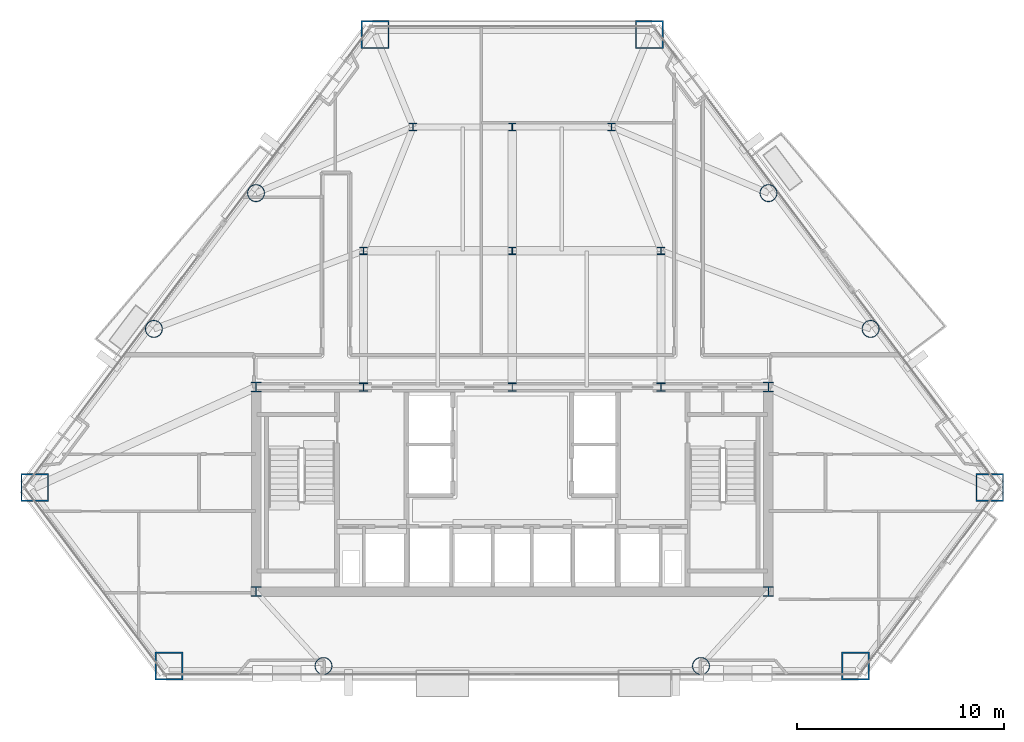
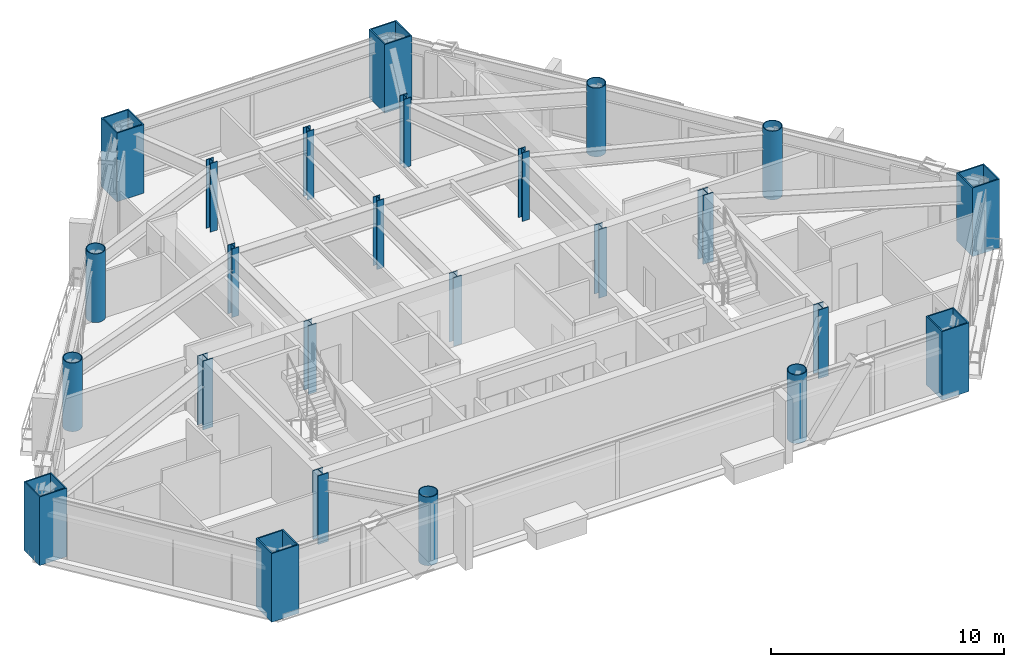
# One storey, part 1 of 10: 25 columns.
"""IFC4 building model written with IfcOpenShell, lengths in metres."""

from ifc_helpers import new_model, si_unit, direction, frame, origin, origin_2d, place, context, subcontext, project, spatial, hollow_rectangle, hollow_circle, i_section, extrude, material, material_profile, profile_set, type_object, element, save


model = new_model("IFC4")

# Units and contexts
model_context = context("Model", 3, precision=1e-05, world=origin(), true_north=direction((0.0, 1.0)))
body_context = subcontext(model_context, "Body", "Model", "MODEL_VIEW")
ifc_project = project(units=[si_unit("LENGTHUNIT", "METRE"), si_unit("AREAUNIT", "SQUARE_METRE"), si_unit("VOLUMEUNIT", "CUBIC_METRE"), si_unit("PLANEANGLEUNIT", "RADIAN"), si_unit("MASSUNIT", "GRAM", prefix="KILO")], contexts=[model_context])

# Site, building, storey
site_placement = place(None, origin())
site = spatial("IfcSite", under=ifc_project, at=site_placement, CompositionType="ELEMENT")
building_placement = place(site_placement, origin())
building = spatial("IfcBuilding", under=site, at=building_placement, Name="Talgorran Terracotta Tower", CompositionType="ELEMENT")
storey_placement = place(building_placement, frame((0.0, 0.0, 86.39990234375)))
storey = spatial("IfcBuildingStorey", under=building, at=storey_placement, Name="L22", CompositionType="ELEMENT", Elevation=86.39990234375)

# Columns
ifc_material_1 = material(Name="Steel S355 (300PLUS)", Category="steel")
ifc_material_profile_1 = material_profile(ifc_material_1, i_section(OverallWidth=0.35009765625, OverallDepth=0.366943359375, WebThickness=0.02490234375, FlangeThickness=0.031982421875, at=origin_2d()), Name="350WC258")
ifc_profile_set_1 = profile_set([ifc_material_profile_1], Name="Steel S355 (300PLUS)")
column_type_1 = type_object("IfcColumnType", Name="COL_350WC258", PredefinedType="COLUMN", material=ifc_profile_set_1)
for number, where, z_axis, x_axis, name in (
    (1, (-7.199951171875, 2.39990234375, 0.0), (0.0, 0.0, 1.0), (1.0, 0.0, 0.0), "L22 Interior Gravity Column IC1"),
    (2, (0.0, 2.39990234375, 0.0), (0.0, 0.0, 1.0), (1.0, 0.0, 0.0), "L22 Interior Gravity Column IC2"),
    (3, (7.199951171875, 2.39990234375, 0.0), (0.0, 0.0, 1.0), (1.0, 0.0, 0.0), "L22 Interior Gravity Column IC3"),
    (4, (-4.800048828125, 8.39990234375, 0.0), (0.0, 0.0, 1.0), (1.0, 0.0, 0.0), "L22 Interior Gravity Column IC4"),
    (5, (0.0, 8.39990234375, 0.0), (0.0, 0.0, 1.0), (1.0, 0.0, 0.0), "L22 Interior Gravity Column IC5"),
    (6, (4.800048828125, 8.39990234375, 0.0), (0.0, 0.0, 1.0), (1.0, 0.0, 0.0), "L22 Interior Gravity Column IC6"),
):
    element("IfcColumn", number, at=place(storey_placement, frame(where, z_axis=z_axis, x_axis=x_axis)), inside=storey, type_object=column_type_1, Name=name, PredefinedType="COLUMN", context=body_context, shape_type="SweptSolid", body=[
        extrude(i_section(OverallWidth=0.35009765625, OverallDepth=0.366943359375, WebThickness=0.02490234375, FlangeThickness=0.031982421875, at=origin_2d()), origin(), (0.0, 0.0, 1.0), 3.60009765625),
    ])
ifc_material_profile_2 = material_profile(ifc_material_1, i_section(OverallWidth=0.5, OverallDepth=0.48193359375, WebThickness=0.0400390625, FlangeThickness=0.044921875, at=origin_2d()), Name="500WC440")
ifc_profile_set_2 = profile_set([ifc_material_profile_2], Name="Steel S355 (300PLUS)")
column_type_2 = type_object("IfcColumnType", Name="COL_500WC440", PredefinedType="COLUMN", material=ifc_profile_set_2)
for number, where, z_axis, x_axis, name in (
    (7, (-12.39990234375, -14.10009765625, 0.0), (0.0, 0.0, 1.0), (1.0, 0.0, 0.0), "L22 Core Boundary Column CC1"),
    (8, (12.39990234375, -14.10009765625, 0.0), (0.0, 0.0, 1.0), (1.0, 0.0, 0.0), "L22 Core Boundary Column CC2"),
    (9, (12.39990234375, -4.199951171875, 0.0), (0.0, 0.0, 1.0), (1.0, 0.0, 0.0), "L22 Core Boundary Column CC3"),
    (10, (-12.39990234375, -4.199951171875, 0.0), (0.0, 0.0, 1.0), (1.0, 0.0, 0.0), "L22 Core Boundary Column CC4"),
):
    element("IfcColumn", number, at=place(storey_placement, frame(where, z_axis=z_axis, x_axis=x_axis)), inside=storey, type_object=column_type_2, Name=name, PredefinedType="COLUMN", context=body_context, shape_type="SweptSolid", body=[
        extrude(i_section(OverallWidth=0.5, OverallDepth=0.48193359375, WebThickness=0.0400390625, FlangeThickness=0.044921875, at=origin_2d()), origin(), (0.0, 0.0, 1.0), 3.60009765625),
    ])
ifc_material_2 = material(Name="Steel Grade 350 (350L0)", Category="steel")
ifc_material_profile_3 = material_profile(ifc_material_2, hollow_rectangle(XDim=1.35009765625, YDim=1.35009765625, WallThickness=0.06494140625, at=origin_2d()), Name="CFT1350X1350X65")
ifc_profile_set_3 = profile_set([ifc_material_profile_3], Name="Steel Grade 350 (350L0)")
column_type_3 = type_object("IfcColumnType", Name="COL_CFT_1350", PredefinedType="COLUMN", material=ifc_profile_set_3)
for number, where, z_axis, x_axis, name in (
    (11, (-23.119384765625, -9.0517578125, 0.0), (0.0, 0.0, 1.0), (1.0, 0.0, 0.0), "L22 Corner CFT Mega-Column MC1"),
    (12, (-16.61376953125, -17.7021484375, 0.0), (0.0, 0.0, 1.0), (1.0, 0.0, 0.0), "L22 Corner CFT Mega-Column MC2"),
    (13, (16.61376953125, -17.7021484375, 0.0), (0.0, 0.0, 1.0), (1.0, 0.0, 0.0), "L22 Corner CFT Mega-Column MC3"),
    (14, (23.119384765625, -9.0517578125, 0.0), (0.0, 0.0, 1.0), (1.0, 0.0, 0.0), "L22 Corner CFT Mega-Column MC4"),
    (15, (6.636962890625, 12.864990234375, 0.0), (0.0, 0.0, 1.0), (1.0, 0.0, 0.0), "L22 Corner CFT Mega-Column MC5"),
    (16, (-6.636962890625, 12.864990234375, 0.0), (0.0, 0.0, 1.0), (1.0, 0.0, 0.0), "L22 Corner CFT Mega-Column MC6"),
):
    element("IfcColumn", number, at=place(storey_placement, frame(where, z_axis=z_axis, x_axis=x_axis)), inside=storey, type_object=column_type_3, Name=name, PredefinedType="COLUMN", context=body_context, shape_type="SweptSolid", body=[
        extrude(hollow_rectangle(XDim=1.35009765625, YDim=1.35009765625, WallThickness=0.06494140625, at=origin_2d()), origin(), (0.0, 0.0, 1.0), 3.60009765625),
    ])
ifc_material_profile_4 = material_profile(ifc_material_2, hollow_circle(Radius=0.425048828125, WallThickness=0.0380859375, at=origin_2d()), Name="CHS850X38")
ifc_profile_set_4 = profile_set([ifc_material_profile_4], Name="Steel Grade 350 (350L0)")
column_type_4 = type_object("IfcColumnType", Name="COL_CHS_850", PredefinedType="COLUMN", material=ifc_profile_set_4)
for number, where, z_axis, x_axis, name in (
    (17, (-9.1376953125, -17.7021484375, 0.0), (0.0, 0.0, 1.0), (1.0, 0.0, 0.0), "L22 Facet Perimeter Column FC1"),
    (18, (9.1376953125, -17.7021484375, 0.0), (0.0, 0.0, 1.0), (1.0, 0.0, 0.0), "L22 Facet Perimeter Column FC2"),
    (19, (17.3505859375, -1.380859375, 0.0), (0.0, 0.0, 1.0), (1.0, 0.0, 0.0), "L22 Facet Perimeter Column FC3"),
    (20, (12.406005859375, 5.194091796875, 0.0), (0.0, 0.0, 1.0), (1.0, 0.0, 0.0), "L22 Facet Perimeter Column FC4"),
    (21, (-12.406005859375, 5.194091796875, 0.0), (0.0, 0.0, 1.0), (1.0, 0.0, 0.0), "L22 Facet Perimeter Column FC5"),
    (22, (-17.3505859375, -1.380859375, 0.0), (0.0, 0.0, 1.0), (1.0, 0.0, 0.0), "L22 Facet Perimeter Column FC6"),
):
    element("IfcColumn", number, at=place(storey_placement, frame(where, z_axis=z_axis, x_axis=x_axis)), inside=storey, type_object=column_type_4, Name=name, PredefinedType="COLUMN", context=body_context, shape_type="SweptSolid", body=[
        extrude(hollow_circle(Radius=0.425048828125, WallThickness=0.0380859375, at=origin_2d()), origin(), (0.0, 0.0, 1.0), 3.60009765625),
    ])
ifc_material_profile_5 = material_profile(ifc_material_1, i_section(OverallWidth=0.405029296875, OverallDepth=0.4140625, WebThickness=0.02197265625, FlangeThickness=0.031982421875, at=origin_2d()), Name="400WC270")
ifc_profile_set_5 = profile_set([ifc_material_profile_5], Name="Steel S355 (300PLUS)")
column_type_5 = type_object("IfcColumnType", Name="COL_PIL_400WC270", PredefinedType="PILASTER", material=ifc_profile_set_5)
for number, where, z_axis, x_axis, name in (
    (23, (-7.199951171875, -4.199951171875, 0.0), (0.0, 0.0, 1.0), (1.0, 0.0, 0.0), "L22 Core Shear Pilaster CP1"),
    (24, (0.0, -4.199951171875, 0.0), (0.0, 0.0, 1.0), (1.0, 0.0, 0.0), "L22 Core Shear Pilaster CP2"),
    (25, (7.199951171875, -4.199951171875, 0.0), (0.0, 0.0, 1.0), (1.0, 0.0, 0.0), "L22 Core Shear Pilaster CP3"),
):
    element("IfcColumn", number, at=place(storey_placement, frame(where, z_axis=z_axis, x_axis=x_axis)), inside=storey, type_object=column_type_5, Name=name, PredefinedType="PILASTER", context=body_context, shape_type="SweptSolid", body=[
        extrude(i_section(OverallWidth=0.405029296875, OverallDepth=0.4140625, WebThickness=0.02197265625, FlangeThickness=0.031982421875, at=origin_2d()), origin(), (0.0, 0.0, 1.0), 3.60009765625),
    ])

save(model, "model.ifc")
